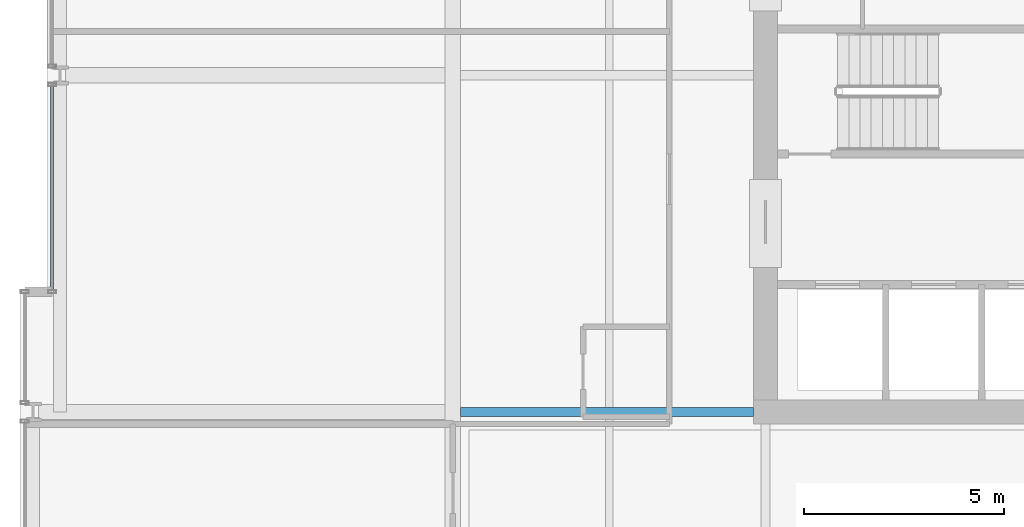
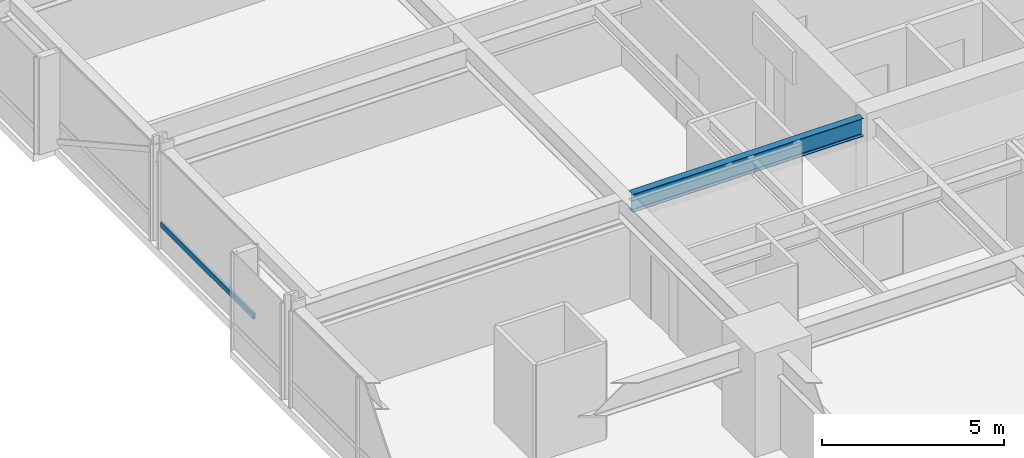
# One storey, part 8 of 38: 1 beam, 1 member, 1 element without a shape of its own.
"""IFC4 building model written with IfcOpenShell, lengths in metres."""

from ifc_helpers import new_model, si_unit, direction, frame, origin, origin_2d, place, context, subcontext, project, spatial, hollow_rectangle, i_section, extrude, material, layer, layer_set, material_profile, profile_set, type_object, element, aggregate, save


model = new_model("IFC4")

# Units and contexts
model_context = context("Model", 3, precision=1e-05, world=origin(), true_north=direction((0.0, 1.0)))
body_context = subcontext(model_context, "Body", "Model", "MODEL_VIEW")
ifc_project = project(units=[si_unit("LENGTHUNIT", "METRE"), si_unit("AREAUNIT", "SQUARE_METRE"), si_unit("VOLUMEUNIT", "CUBIC_METRE"), si_unit("PLANEANGLEUNIT", "RADIAN"), si_unit("MASSUNIT", "GRAM", prefix="KILO")], contexts=[model_context])

# Site, building, storey
site_placement = place(None, origin())
site = spatial("IfcSite", under=ifc_project, at=site_placement, CompositionType="ELEMENT")
building_placement = place(site_placement, origin())
building = spatial("IfcBuilding", under=site, at=building_placement, Name="Drelvath Grand Hotel", CompositionType="ELEMENT")
storey_placement = place(building_placement, frame((0.0, 0.0, 64.699951171875)))
storey = spatial("IfcBuildingStorey", under=building, at=storey_placement, Name="L15", CompositionType="ELEMENT", Elevation=64.699951171875)

# Curtain wall, member
ifc_material_1 = material(Name="Warm Bronze Anodised Aluminium Frame", Category="aluminium")
ifc_layer = layer(ifc_material_1, 0.199951171875)
ifc_layer_set = layer_set([ifc_layer], Name="Warm Bronze Anodised Aluminium Frame")
curtain_wall_type = type_object("IfcCurtainWallType", Name="Stick Curtain Wall CW-02 Warm Bronze Low-Rise", PredefinedType="NOTDEFINED", material=ifc_layer_set)
curtain_wall_placement = place(storey_placement, origin())
curtain_wall = element("IfcCurtainWall", 1, at=curtain_wall_placement, inside=storey, type_object=curtain_wall_type, Name="L15 CW-02 Curtain Wall CW02-L15-WM1", PredefinedType="NOTDEFINED")
ifc_material_profile_1 = material_profile(ifc_material_1, hollow_rectangle(XDim=0.074951171875, YDim=0.179931640625, WallThickness=0.0048828125, at=origin_2d()), Name="HSS180X75X5")
ifc_profile_set_1 = profile_set([ifc_material_profile_1], Name="Warm Bronze Anodised Aluminium Frame")
member_type = type_object("IfcMemberType", Name="Curtain Wall Horizontal Transom CW-02 HSS180X75X5", PredefinedType="USERDEFINED", material=ifc_profile_set_1)
member_placement = place(storey_placement, frame((-26.199951171875, 21.639892578125, 0.81005859375), z_axis=(0.0, 1.0, 0.0), x_axis=(-1.0, 0.0, 0.0)))
member = element("IfcMember", 2, at=member_placement, type_object=member_type, Name="CW02-L15-WM1 Sill Transom", ObjectType="TRANSOM", PredefinedType="USERDEFINED", context=body_context, shape_type="SweptSolid", body=[
    extrude(hollow_rectangle(XDim=0.074951171875, YDim=0.179931640625, WallThickness=0.0048828125, at=origin_2d()), origin(), (0.0, 0.0, 1.0), 5.091064453125),
])
aggregate(curtain_wall, [member])

# Beam
ifc_material_2 = material(Name="Steel ASTM A992 Gr 50", Category="steel")
ifc_material_profile_2 = material_profile(ifc_material_2, i_section(OverallWidth=0.228271484375, OverallDepth=0.607666015625, WebThickness=0.01123046875, FlangeThickness=0.017333984375, FilletRadius=0.02001953125, at=origin_2d()), Name="W24X76")
ifc_profile_set_2 = profile_set([ifc_material_profile_2], Name="Steel ASTM A992 Gr 50")
beam_type = type_object("IfcBeamType", Name="Primary Floor Girder W24X76", PredefinedType="BEAM", material=ifc_profile_set_2)
beam_placement = place(storey_placement, frame((-16.009765625, 18.60009765625, 2.936279296875), z_axis=(1.0, 0.0, 0.0), x_axis=(0.0, 1.0, 0.0)))
element("IfcBeam", 3, at=beam_placement, inside=storey, type_object=beam_type, Name="L15 West Core Tie D", PredefinedType="BEAM", context=body_context, shape_type="SweptSolid", body=[
    extrude(i_section(OverallWidth=0.228271484375, OverallDepth=0.607666015625, WebThickness=0.01123046875, FlangeThickness=0.017333984375, FilletRadius=0.02001953125, at=origin_2d()), origin(), (0.0, 0.0, 1.0), 7.309814453125),
])

save(model, "model.ifc")
